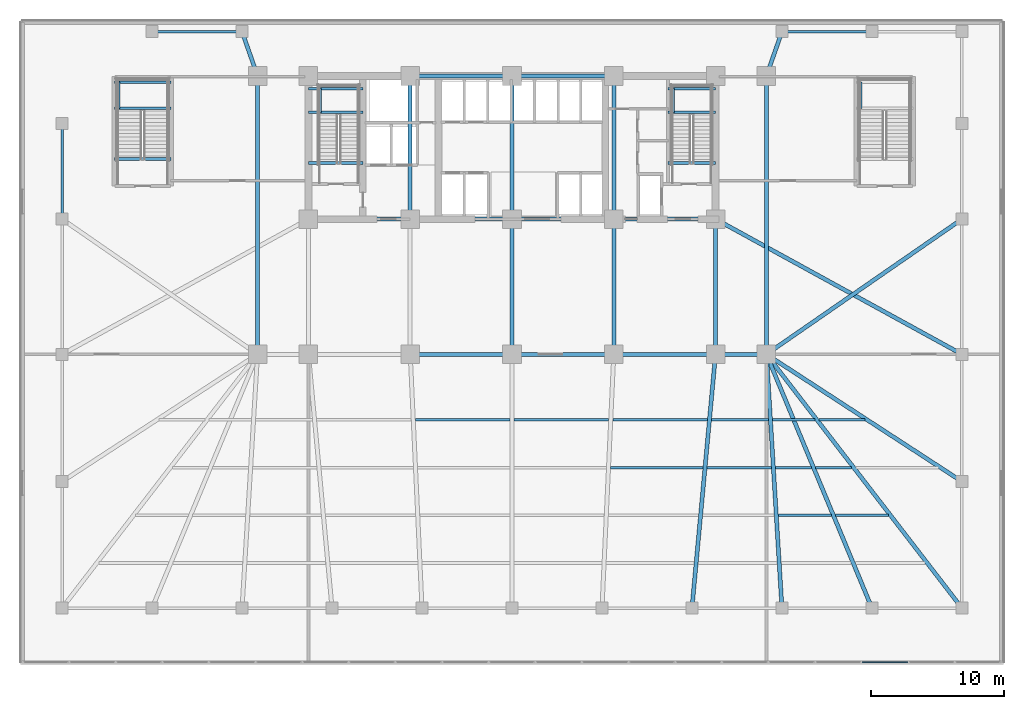
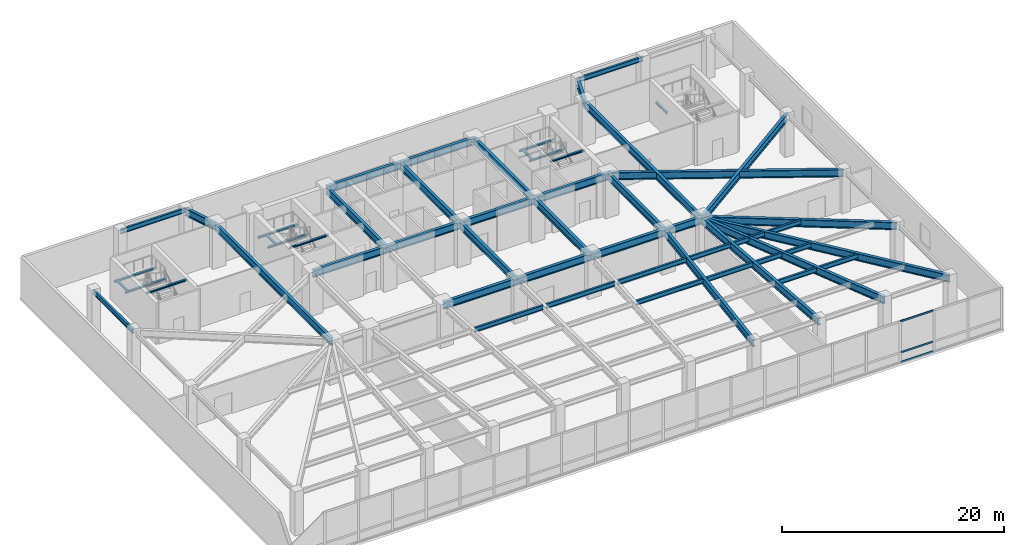
# One storey, part 9 of 19: 55 beams, 3 members, 1 element without a shape of its own.
"""IFC4 building model written with IfcOpenShell, lengths in metres."""

import ifcopenshell
import ifcopenshell.guid

model = None  # the IFC model being written
_history = None  # IfcOwnerHistory: only IFC2X3 demands one
_inside = {}  # id of a spatial element -> (the spatial element, [elements in it])
_under = {}  # id of a project, library or spatial element -> (it, [spatial elements below it])
_declared = {}  # id of a project -> (the project, [libraries it declares])
_typed = {}  # id of a type object -> (the type object, [elements of that type])
_made_of = {}  # id of a material, layer set ... -> (it, [elements and type objects made of it])


def new_model(schema):
    """Start an empty IFC model of exactly this schema.

    Asked for "IFC4X3", IfcOpenShell would pick the latest addendum, in which some entities
    have other attributes; the version numbers below select the first issue.
    IFC2X3 requires an IfcOwnerHistory on every rooted entity: one is made here for all.
    """
    global model, _history
    if schema == "IFC4X3":
        model = ifcopenshell.file(schema_version=(4, 3, 0, 0))
    else:
        model = ifcopenshell.file(schema=schema)
    _inside.clear()
    _under.clear()
    _declared.clear()
    _typed.clear()
    _made_of.clear()
    _history = None
    if model.schema == "IFC2X3":
        org = make("IfcOrganization", Name="unknown")
        user = make(
            "IfcPersonAndOrganization",
            ThePerson=make("IfcPerson", FamilyName="unknown"),
            TheOrganization=org,
        )
        app = make(
            "IfcApplication",
            ApplicationDeveloper=org,
            Version="unknown",
            ApplicationFullName="unknown",
            ApplicationIdentifier="unknown",
        )
        _history = make(
            "IfcOwnerHistory",
            OwningUser=user,
            OwningApplication=app,
            ChangeAction="ADDED",
            CreationDate=0,
        )
    return model


def make(cls, **values):
    """One entity of the class cls with the attributes given. An attribute that is None is left unset."""
    return model.create_entity(
        cls, **{name: value for name, value in values.items() if value is not None}
    )


def rooted(cls, **values):
    """An entity with a GlobalId (a new one), such as an element, a storey or a relation."""
    return make(cls, GlobalId=ifcopenshell.guid.new(), OwnerHistory=_history, **values)


def si_unit(unit_type, name, prefix=None):
    """IfcSIUnit, for example si_unit("LENGTHUNIT", "METRE", prefix="MILLI")."""
    return make("IfcSIUnit", UnitType=unit_type, Prefix=prefix, Name=name)


def assignment(units):
    """IfcUnitAssignment: the units of a project."""
    return None if units is None else make("IfcUnitAssignment", Units=units)


def point(xyz):
    """IfcCartesianPoint."""
    return None if xyz is None else make("IfcCartesianPoint", Coordinates=xyz)


def direction(xyz):
    """IfcDirection."""
    return None if xyz is None else make("IfcDirection", DirectionRatios=xyz)


def frame(location, z_axis=None, x_axis=None):
    """IfcAxis2Placement3D, a coordinate frame: its origin and axes. An axis left out is left unset."""
    return make(
        "IfcAxis2Placement3D",
        Location=point(location),
        Axis=direction(z_axis),
        RefDirection=direction(x_axis),
    )


def frame_2d(location, x_axis=None):
    """IfcAxis2Placement2D, a coordinate frame in the plane: its origin and x axis."""
    return make(
        "IfcAxis2Placement2D", Location=point(location), RefDirection=direction(x_axis)
    )


def origin():
    """The frame at (0, 0, 0) with its axes left unset."""
    return frame((0.0, 0.0, 0.0))


def origin_2d():
    """The frame at (0, 0) in the plane with its x axis left unset."""
    return frame_2d((0.0, 0.0))


def place(relative_to, where):
    """IfcLocalPlacement: puts the frame where relative to a parent placement (None: the world)."""
    return make(
        "IfcLocalPlacement", PlacementRelTo=relative_to, RelativePlacement=where
    )


def context(
    kind, dimensions, precision=None, world=None, true_north=None, identifier=None
):
    """IfcGeometricRepresentationContext, for example the 3D "Model" context."""
    return make(
        "IfcGeometricRepresentationContext",
        ContextIdentifier=identifier,
        ContextType=kind,
        CoordinateSpaceDimension=dimensions,
        Precision=precision,
        WorldCoordinateSystem=world,
        TrueNorth=true_north,
    )


def subcontext(parent, identifier, kind, view, scale=None):
    """IfcGeometricRepresentationSubContext, for example "Body" below "Model"."""
    return make(
        "IfcGeometricRepresentationSubContext",
        ContextIdentifier=identifier,
        ContextType=kind,
        ParentContext=parent,
        TargetScale=scale,
        TargetView=view,
    )


def project(units=None, contexts=None):
    """IfcProject with its units and contexts."""
    return rooted(
        "IfcProject",
        Name="project",
        RepresentationContexts=contexts,
        UnitsInContext=assignment(units),
    )


def spatial(cls, under=None, at=None, **own):
    """A site, building, storey or space (cls), placed at a placement, below another one or the project."""
    s = rooted(cls, ObjectPlacement=at, **own)
    if under is not None:
        _under.setdefault(under.id(), (under, []))[1].append(s)
    return s


def profile(cls, at=None, kind="AREA", **sizes):
    """A parametric profile (cls). Its sizes go by their IFC names, for example OverallWidth=200.0."""
    return make(cls, ProfileType=kind, Position=at, **sizes)


def hollow_rectangle(**sizes):
    """IfcRectangleHollowProfileDef."""
    return profile("IfcRectangleHollowProfileDef", **sizes)


def i_section(**sizes):
    """IfcIShapeProfileDef."""
    return profile("IfcIShapeProfileDef", **sizes)


def extrude(swept, where, along, depth):
    """IfcExtrudedAreaSolid: the profile swept, set in the frame where, extruded along a direction by depth."""
    return make(
        "IfcExtrudedAreaSolid",
        SweptArea=swept,
        Position=where,
        ExtrudedDirection=direction(along),
        Depth=depth,
    )


def shape(context_of_items, identifier, shape_type, items):
    """IfcShapeRepresentation: the items that make up one representation, for example the "Body"."""
    return make(
        "IfcShapeRepresentation",
        ContextOfItems=context_of_items,
        RepresentationIdentifier=identifier,
        RepresentationType=shape_type,
        Items=items,
    )


def material(Name=None, Category=None):
    """IfcMaterial."""
    return make("IfcMaterial", Name=Name, Category=Category)


def material_profile(
    of_material, cross_section, Name=None, Category=None, Priority=None
):
    """IfcMaterialProfile: a cross section and its material."""
    return make(
        "IfcMaterialProfile",
        Name=Name,
        Material=of_material,
        Profile=cross_section,
        Priority=Priority,
        Category=Category,
    )


def profile_set(profiles, Name=None, composite=None):
    """IfcMaterialProfileSet."""
    return make(
        "IfcMaterialProfileSet",
        Name=Name,
        MaterialProfiles=profiles,
        CompositeProfile=composite,
    )


def made_of(thing, what):
    """Note that an element or type object is made of a material, layer set ...; save() writes the relation."""
    if what is not None:
        _made_of.setdefault(what.id(), (what, []))[1].append(thing)
    return thing


def type_object(cls, material=None, **own):
    """A type object (cls), such as IfcWallType, which elements share."""
    return made_of(rooted(cls, **own), material)


def element(
    cls,
    number,
    at=None,
    inside=None,
    cuts=None,
    type_object=None,
    material=None,
    context=None,
    identifier="Body",
    shape_type=None,
    held_by="IfcProductDefinitionShape",
    body=None,
    shapes=None,
    **own,
):
    """One element of the class cls, such as IfcWall. Its Tag is "e" and its number.

    at: its placement. inside: the storey or other place that contains it. cuts: it is an
    opening in that element (IfcRelVoidsElement). A single representation is given by context,
    identifier, shape_type and body (its items); several are given by shapes. held_by: the class
    of the entity that holds the representations. save() writes the other relations.
    """
    e = rooted(cls, Tag="e%d" % number, ObjectPlacement=at, **own)
    if body is not None:
        shapes = [shape(context, identifier, shape_type, body)]
    if shapes is not None:
        e.Representation = make(held_by, Representations=shapes)
    if inside is not None:
        _inside.setdefault(inside.id(), (inside, []))[1].append(e)
    if cuts is not None:
        rooted(
            "IfcRelVoidsElement", RelatingBuildingElement=cuts, RelatedOpeningElement=e
        )
    if type_object is not None:
        _typed.setdefault(type_object.id(), (type_object, []))[1].append(e)
    return made_of(e, material)


def aggregate(whole, parts):
    """IfcRelAggregates: a whole, such as a stair, and the parts it consists of."""
    return rooted("IfcRelAggregates", RelatingObject=whole, RelatedObjects=parts)


def save(model, path):
    """Write the relations noted so far, then the file.

    IfcRelAggregates (storeys below a building ...), IfcRelContainedInSpatialStructure (elements
    in a storey), IfcRelDefinesByType, IfcRelAssociatesMaterial and IfcRelDeclares: one each for
    every whole, place, type object, material and project.
    """
    for whole, parts in _under.values():
        aggregate(whole, parts)
    for where, things in _inside.values():
        rooted(
            "IfcRelContainedInSpatialStructure",
            RelatedElements=things,
            RelatingStructure=where,
        )
    for kind, things in _typed.values():
        rooted("IfcRelDefinesByType", RelatedObjects=things, RelatingType=kind)
    for what, things in _made_of.values():
        rooted("IfcRelAssociatesMaterial", RelatedObjects=things, RelatingMaterial=what)
    for by, libraries in _declared.values():
        rooted("IfcRelDeclares", RelatingContext=by, RelatedDefinitions=libraries)
    model.write(path)


model = new_model("IFC4")

# Units and contexts
model_context = context("Model", 3, precision=1e-05, world=origin(), true_north=direction((0.0, 1.0)))
body_context = subcontext(model_context, "Body", "Model", "MODEL_VIEW")
ifc_project = project(units=[si_unit("LENGTHUNIT", "METRE"), si_unit("AREAUNIT", "SQUARE_METRE"), si_unit("VOLUMEUNIT", "CUBIC_METRE"), si_unit("PLANEANGLEUNIT", "RADIAN"), si_unit("MASSUNIT", "GRAM", prefix="KILO")], contexts=[model_context])

# Site, building, storey
site_placement = place(None, origin())
site = spatial("IfcSite", under=ifc_project, at=site_placement, CompositionType="ELEMENT")
building_placement = place(site_placement, origin())
building = spatial("IfcBuilding", under=site, at=building_placement, Name="Yelkora Congress Tower", CompositionType="ELEMENT")
storey_placement = place(building_placement, frame((0.0, 0.0, 15.60009765625)))
storey = spatial("IfcBuildingStorey", under=building, at=storey_placement, Name="L03", CompositionType="ELEMENT", Elevation=15.60009765625)

# Beams
ifc_material_1 = material(Name="Steel S460M", Category="steel")
ifc_material_profile_1 = material_profile(ifc_material_1, i_section(OverallWidth=0.302978515625, OverallDepth=0.81396484375, WebThickness=0.02099609375, FlangeThickness=0.0400390625, FilletRadius=0.030029296875, at=origin_2d()), Name="HEM 800")
ifc_profile_set_1 = profile_set([ifc_material_profile_1], Name="Steel S460M")
beam_type_1 = type_object("IfcBeamType", Name="BM-HALL-HEM800", PredefinedType="BEAM", material=ifc_profile_set_1)
beam_1_placement = place(storey_placement, frame((30.719970703125, 25.199951171875, 4.1328125), z_axis=(1.0, 0.0, 0.0), x_axis=(0.0, 1.0, 0.0)))
element("IfcBeam", 1, at=beam_1_placement, inside=storey, type_object=beam_type_1, Name="L03 Spine Grid D Girder 3", PredefinedType="BEAM", context=body_context, shape_type="SweptSolid", body=[
    extrude(i_section(OverallWidth=0.302978515625, OverallDepth=0.81396484375, WebThickness=0.02099609375, FlangeThickness=0.0400390625, FilletRadius=0.030029296875, at=origin_2d()), origin(), (0.0, 0.0, 1.0), 7.679931640625),
])
beam_2_placement = place(storey_placement, frame((38.39990234375, 25.199951171875, 4.1328125), z_axis=(1.0, 0.0, 0.0), x_axis=(0.0, 1.0, 0.0)))
element("IfcBeam", 2, at=beam_2_placement, inside=storey, type_object=beam_type_1, Name="L03 Spine Grid D Girder 4", PredefinedType="BEAM", context=body_context, shape_type="SweptSolid", body=[
    extrude(i_section(OverallWidth=0.302978515625, OverallDepth=0.81396484375, WebThickness=0.02099609375, FlangeThickness=0.0400390625, FilletRadius=0.030029296875, at=origin_2d()), origin(), (0.0, 0.0, 1.0), 7.68017578125),
])
beam_3_placement = place(storey_placement, frame((46.080078125, 25.199951171875, 4.1328125), z_axis=(1.0, 0.0, 0.0), x_axis=(0.0, 1.0, 0.0)))
element("IfcBeam", 3, at=beam_3_placement, inside=storey, type_object=beam_type_1, Name="L03 Spine Grid D Girder 5", PredefinedType="BEAM", context=body_context, shape_type="SweptSolid", body=[
    extrude(i_section(OverallWidth=0.302978515625, OverallDepth=0.81396484375, WebThickness=0.02099609375, FlangeThickness=0.0400390625, FilletRadius=0.030029296875, at=origin_2d()), origin(), (0.0, 0.0, 1.0), 7.679931640625),
])
beam_4_placement = place(storey_placement, frame((53.760009765625, 25.199951171875, 4.1328125), z_axis=(1.0, 0.0, 0.0), x_axis=(0.0, 1.0, 0.0)))
element("IfcBeam", 4, at=beam_4_placement, inside=storey, type_object=beam_type_1, Name="L03 Spine Grid D Girder 6", PredefinedType="BEAM", context=body_context, shape_type="SweptSolid", body=[
    extrude(i_section(OverallWidth=0.302978515625, OverallDepth=0.81396484375, WebThickness=0.02099609375, FlangeThickness=0.0400390625, FilletRadius=0.030029296875, at=origin_2d()), origin(), (0.0, 0.0, 1.0), 3.840087890625),
])
beam_5_placement = place(storey_placement, frame((30.719970703125, 46.199951171875, 4.1328125), z_axis=(1.0, 0.0, 0.0), x_axis=(0.0, 1.0, 0.0)))
element("IfcBeam", 5, at=beam_5_placement, inside=storey, type_object=beam_type_1, Name="L03 Core North Girder 3", PredefinedType="BEAM", context=body_context, shape_type="SweptSolid", body=[
    extrude(i_section(OverallWidth=0.302978515625, OverallDepth=0.81396484375, WebThickness=0.02099609375, FlangeThickness=0.0400390625, FilletRadius=0.030029296875, at=origin_2d()), origin(), (0.0, 0.0, 1.0), 7.679931640625),
])
beam_6_placement = place(storey_placement, frame((38.39990234375, 46.199951171875, 4.1328125), z_axis=(1.0, 0.0, 0.0), x_axis=(0.0, 1.0, 0.0)))
element("IfcBeam", 6, at=beam_6_placement, inside=storey, type_object=beam_type_1, Name="L03 Core North Girder 4", PredefinedType="BEAM", context=body_context, shape_type="SweptSolid", body=[
    extrude(i_section(OverallWidth=0.302978515625, OverallDepth=0.81396484375, WebThickness=0.02099609375, FlangeThickness=0.0400390625, FilletRadius=0.030029296875, at=origin_2d()), origin(), (0.0, 0.0, 1.0), 7.68017578125),
])
for number, where, z_axis, x_axis, name in (
    (7, (23.0400390625, 35.39990234375, 4.1328125), (1.0, 0.0, 0.0), (0.0, 1.0, 0.0), "L03 Core South Girder 1"),
    (8, (30.719970703125, 35.39990234375, 4.1328125), (1.0, 0.0, 0.0), (0.0, 1.0, 0.0), "L03 Core South Girder 2"),
):
    element("IfcBeam", number, at=place(storey_placement, frame(where, z_axis=z_axis, x_axis=x_axis)), inside=storey, type_object=beam_type_1, Name=name, PredefinedType="BEAM", context=body_context, shape_type="SweptSolid", body=[
        extrude(i_section(OverallWidth=0.302978515625, OverallDepth=0.81396484375, WebThickness=0.02099609375, FlangeThickness=0.0400390625, FilletRadius=0.030029296875, at=origin_2d()), origin(), (0.0, 0.0, 1.0), 7.679931640625),
    ])
beam_7_placement = place(storey_placement, frame((38.39990234375, 35.39990234375, 4.1328125), z_axis=(1.0, 0.0, 0.0), x_axis=(0.0, 1.0, 0.0)))
element("IfcBeam", 9, at=beam_7_placement, inside=storey, type_object=beam_type_1, Name="L03 Core South Girder 3", PredefinedType="BEAM", context=body_context, shape_type="SweptSolid", body=[
    extrude(i_section(OverallWidth=0.302978515625, OverallDepth=0.81396484375, WebThickness=0.02099609375, FlangeThickness=0.0400390625, FilletRadius=0.030029296875, at=origin_2d()), origin(), (0.0, 0.0, 1.0), 7.68017578125),
])
beam_8_placement = place(storey_placement, frame((46.080078125, 35.39990234375, 4.1328125), z_axis=(1.0, 0.0, 0.0), x_axis=(0.0, 1.0, 0.0)))
element("IfcBeam", 10, at=beam_8_placement, inside=storey, type_object=beam_type_1, Name="L03 Core South Girder 4", PredefinedType="BEAM", context=body_context, shape_type="SweptSolid", body=[
    extrude(i_section(OverallWidth=0.302978515625, OverallDepth=0.81396484375, WebThickness=0.02099609375, FlangeThickness=0.0400390625, FilletRadius=0.030029296875, at=origin_2d()), origin(), (0.0, 0.0, 1.0), 7.679931640625),
])
beam_9_placement = place(storey_placement, frame((30.719970703125, 35.39990234375, 4.1328125), z_axis=(0.0, 1.0, 0.0), x_axis=(-1.0, 0.0, 0.0)))
element("IfcBeam", 11, at=beam_9_placement, inside=storey, type_object=beam_type_1, Name="L03 Core Tie Girder MC-S2", PredefinedType="BEAM", context=body_context, shape_type="SweptSolid", body=[
    extrude(i_section(OverallWidth=0.302978515625, OverallDepth=0.81396484375, WebThickness=0.02099609375, FlangeThickness=0.0400390625, FilletRadius=0.030029296875, at=origin_2d()), origin(), (0.0, 0.0, 1.0), 10.800048828125),
])
beam_10_placement = place(storey_placement, frame((38.39990234375, 25.199951171875, 4.1328125), z_axis=(0.0, 1.0, 0.0), x_axis=(-1.0, 0.0, 0.0)))
element("IfcBeam", 12, at=beam_10_placement, inside=storey, type_object=beam_type_1, Name="L03 Core Tie Girder MC-D3", PredefinedType="BEAM", context=body_context, shape_type="SweptSolid", body=[
    extrude(i_section(OverallWidth=0.302978515625, OverallDepth=0.81396484375, WebThickness=0.02099609375, FlangeThickness=0.0400390625, FilletRadius=0.030029296875, at=origin_2d()), origin(), (0.0, 0.0, 1.0), 10.199951171875),
])
beam_11_placement = place(storey_placement, frame((38.39990234375, 35.39990234375, 4.1328125), z_axis=(0.0, 1.0, 0.0), x_axis=(-1.0, 0.0, 0.0)))
element("IfcBeam", 13, at=beam_11_placement, inside=storey, type_object=beam_type_1, Name="L03 Core Tie Girder MC-S3", PredefinedType="BEAM", context=body_context, shape_type="SweptSolid", body=[
    extrude(i_section(OverallWidth=0.302978515625, OverallDepth=0.81396484375, WebThickness=0.02099609375, FlangeThickness=0.0400390625, FilletRadius=0.030029296875, at=origin_2d()), origin(), (0.0, 0.0, 1.0), 10.800048828125),
])
beam_12_placement = place(storey_placement, frame((46.080078125, 25.199951171875, 4.1328125), z_axis=(0.0, 1.0, 0.0), x_axis=(-1.0, 0.0, 0.0)))
element("IfcBeam", 14, at=beam_12_placement, inside=storey, type_object=beam_type_1, Name="L03 Core Tie Girder MC-D4", PredefinedType="BEAM", context=body_context, shape_type="SweptSolid", body=[
    extrude(i_section(OverallWidth=0.302978515625, OverallDepth=0.81396484375, WebThickness=0.02099609375, FlangeThickness=0.0400390625, FilletRadius=0.030029296875, at=origin_2d()), origin(), (0.0, 0.0, 1.0), 10.199951171875),
])
beam_13_placement = place(storey_placement, frame((46.080078125, 35.39990234375, 4.1328125), z_axis=(0.0, 1.0, 0.0), x_axis=(-1.0, 0.0, 0.0)))
element("IfcBeam", 15, at=beam_13_placement, inside=storey, type_object=beam_type_1, Name="L03 Core Tie Girder MC-S4", PredefinedType="BEAM", context=body_context, shape_type="SweptSolid", body=[
    extrude(i_section(OverallWidth=0.302978515625, OverallDepth=0.81396484375, WebThickness=0.02099609375, FlangeThickness=0.0400390625, FilletRadius=0.030029296875, at=origin_2d()), origin(), (0.0, 0.0, 1.0), 10.800048828125),
])
beam_14_placement = place(storey_placement, frame((53.760009765625, 25.199951171875, 4.1328125), z_axis=(0.0, 1.0, 0.0), x_axis=(-1.0, 0.0, 0.0)))
element("IfcBeam", 16, at=beam_14_placement, inside=storey, type_object=beam_type_1, Name="L03 Core Tie Girder MC-D5", PredefinedType="BEAM", context=body_context, shape_type="SweptSolid", body=[
    extrude(i_section(OverallWidth=0.302978515625, OverallDepth=0.81396484375, WebThickness=0.02099609375, FlangeThickness=0.0400390625, FilletRadius=0.030029296875, at=origin_2d()), origin(), (0.0, 0.0, 1.0), 10.199951171875),
])
for number, where, z_axis, x_axis, name in (
    (17, (19.199951171875, 25.199951171875, 4.1328125), (0.0, 1.0, 0.0), (-1.0, 0.0, 0.0), "L03 Neck Flank Girder MC-F1"),
    (18, (57.60009765625, 25.199951171875, 4.1328125), (0.0, 1.0, 0.0), (-1.0, 0.0, 0.0), "L03 Neck Flank Girder MC-F2"),
):
    element("IfcBeam", number, at=place(storey_placement, frame(where, z_axis=z_axis, x_axis=x_axis)), inside=storey, type_object=beam_type_1, Name=name, PredefinedType="BEAM", context=body_context, shape_type="SweptSolid", body=[
        extrude(i_section(OverallWidth=0.302978515625, OverallDepth=0.81396484375, WebThickness=0.02099609375, FlangeThickness=0.0400390625, FilletRadius=0.030029296875, at=origin_2d()), origin(), (0.0, 0.0, 1.0), 21.0),
    ])
beam_15_placement = place(storey_placement, frame((18.030029296875, 49.550048828125, 4.1328125), z_axis=(0.329694513381, -0.944087669577, 0.0), x_axis=(0.944087669577, 0.329694513381, 0.0)))
element("IfcBeam", 19, at=beam_15_placement, inside=storey, type_object=beam_type_1, Name="L03 Primary Frame Girder PN03", PredefinedType="BEAM", context=body_context, shape_type="SweptSolid", body=[
    extrude(i_section(OverallWidth=0.302978515625, OverallDepth=0.81396484375, WebThickness=0.02099609375, FlangeThickness=0.0400390625, FilletRadius=0.030029296875, at=origin_2d()), origin(), (0.0, 0.0, 1.0), 3.548583984375),
])
beam_16_placement = place(storey_placement, frame((51.97998046875, 6.050048828125, 4.1328125), z_axis=(0.092553417869, 0.995707720589, 0.0), x_axis=(-0.995707720589, 0.092553417869, 0.0)))
element("IfcBeam", 20, at=beam_16_placement, inside=storey, type_object=beam_type_1, Name="L03 Primary Frame Girder PS08", PredefinedType="BEAM", context=body_context, shape_type="SweptSolid", body=[
    extrude(i_section(OverallWidth=0.302978515625, OverallDepth=0.81396484375, WebThickness=0.02099609375, FlangeThickness=0.0400390625, FilletRadius=0.030029296875, at=origin_2d()), origin(), (0.0, 0.0, 1.0), 19.232421875),
])
beam_17_placement = place(storey_placement, frame((58.77001953125, 6.050048828125, 4.1328125), z_axis=(-0.060979146345, 0.99813904027, 0.0), x_axis=(-0.99813904027, -0.060979146345, 0.0)))
element("IfcBeam", 21, at=beam_17_placement, inside=storey, type_object=beam_type_1, Name="L03 Primary Frame Girder PS09", PredefinedType="BEAM", context=body_context, shape_type="SweptSolid", body=[
    extrude(i_section(OverallWidth=0.302978515625, OverallDepth=0.81396484375, WebThickness=0.02099609375, FlangeThickness=0.0400390625, FilletRadius=0.030029296875, at=origin_2d()), origin(), (0.0, 0.0, 1.0), 19.185546875),
])
beam_18_placement = place(storey_placement, frame((58.77001953125, 49.550048828125, 4.1328125), z_axis=(-0.329694513381, -0.944087669577, 0.0), x_axis=(0.944087669577, -0.329694513381, 0.0)))
element("IfcBeam", 22, at=beam_18_placement, inside=storey, type_object=beam_type_1, Name="L03 Primary Frame Girder PN09", PredefinedType="BEAM", context=body_context, shape_type="SweptSolid", body=[
    extrude(i_section(OverallWidth=0.302978515625, OverallDepth=0.81396484375, WebThickness=0.02099609375, FlangeThickness=0.0400390625, FilletRadius=0.030029296875, at=origin_2d()), origin(), (0.0, 0.0, 1.0), 3.548583984375),
])
beam_19_placement = place(storey_placement, frame((65.56005859375, 6.050048828125, 4.1328125), z_axis=(-0.383827816401, 0.923404682334, 0.0), x_axis=(-0.923404682334, -0.383827816401, 0.0)))
element("IfcBeam", 23, at=beam_19_placement, inside=storey, type_object=beam_type_1, Name="L03 Primary Frame Girder PS10", PredefinedType="BEAM", context=body_context, shape_type="SweptSolid", body=[
    extrude(i_section(OverallWidth=0.302978515625, OverallDepth=0.81396484375, WebThickness=0.02099609375, FlangeThickness=0.0400390625, FilletRadius=0.030029296875, at=origin_2d()), origin(), (0.0, 0.0, 1.0), 20.73828125),
])
beam_20_placement = place(storey_placement, frame((72.35009765625, 6.050048828125, 4.1328125), z_axis=(-0.610212418574, 0.792237845737, 0.0), x_axis=(-0.792237845737, -0.610212418574, 0.0)))
element("IfcBeam", 24, at=beam_20_placement, inside=storey, type_object=beam_type_1, Name="L03 Primary Frame Girder PS11", PredefinedType="BEAM", context=body_context, shape_type="SweptSolid", body=[
    extrude(i_section(OverallWidth=0.302978515625, OverallDepth=0.81396484375, WebThickness=0.02099609375, FlangeThickness=0.0400390625, FilletRadius=0.030029296875, at=origin_2d()), origin(), (0.0, 0.0, 1.0), 24.171875),
])
beam_21_placement = place(storey_placement, frame((72.35009765625, 15.60009765625, 4.1328125), z_axis=(-0.83812272066, 0.545481718404, 0.0), x_axis=(-0.545481718404, -0.83812272066, 0.0)))
element("IfcBeam", 25, at=beam_21_placement, inside=storey, type_object=beam_type_1, Name="L03 Primary Frame Girder PE1", PredefinedType="BEAM", context=body_context, shape_type="SweptSolid", body=[
    extrude(i_section(OverallWidth=0.302978515625, OverallDepth=0.81396484375, WebThickness=0.02099609375, FlangeThickness=0.0400390625, FilletRadius=0.030029296875, at=origin_2d()), origin(), (0.0, 0.0, 1.0), 17.598876953125),
])
beam_22_placement = place(storey_placement, frame((72.35009765625, 25.199951171875, 4.1328125), z_axis=(-0.876705282536, 0.48102790727, 0.0), x_axis=(-0.48102790727, -0.876705282536, 0.0)))
element("IfcBeam", 26, at=beam_22_placement, inside=storey, type_object=beam_type_1, Name="L03 Primary Frame Girder PE2", PredefinedType="BEAM", context=body_context, shape_type="SweptSolid", body=[
    extrude(i_section(OverallWidth=0.302978515625, OverallDepth=0.81396484375, WebThickness=0.02099609375, FlangeThickness=0.0400390625, FilletRadius=0.030029296875, at=origin_2d()), origin(), (0.0, 0.0, 1.0), 21.20458984375),
])
beam_23_placement = place(storey_placement, frame((72.35009765625, 35.39990234375, 4.1328125), z_axis=(-0.822494466498, -0.568773111689, 0.0), x_axis=(0.568773111689, -0.822494466498, 0.0)))
element("IfcBeam", 27, at=beam_23_placement, inside=storey, type_object=beam_type_1, Name="L03 Primary Frame Girder PE3", PredefinedType="BEAM", context=body_context, shape_type="SweptSolid", body=[
    extrude(i_section(OverallWidth=0.302978515625, OverallDepth=0.81396484375, WebThickness=0.02099609375, FlangeThickness=0.0400390625, FilletRadius=0.030029296875, at=origin_2d()), origin(), (0.0, 0.0, 1.0), 17.933349609375),
])
ifc_material_2 = material(Name="Steel S355J2", Category="steel")
ifc_material_profile_2 = material_profile(ifc_material_2, i_section(OverallWidth=0.199951171875, OverallDepth=0.5, WebThickness=0.01025390625, FlangeThickness=0.01611328125, FilletRadius=0.02099609375, at=origin_2d()), Name="IPE 500")
ifc_profile_set_2 = profile_set([ifc_material_profile_2], Name="Steel S355J2")
beam_type_2 = type_object("IfcBeamType", Name="BM-JOIST-IPE500", PredefinedType="JOIST", material=ifc_profile_set_2)
for number, where, z_axis, x_axis, name in (
    (28, (58.502197265625, 13.050048828125, 4.289794921875), (1.0, 0.0, 0.0), (0.0, 1.0, 0.0), "L03 Composite Floor Joist 19"),
    (29, (62.810302734375, 13.050048828125, 4.289794921875), (1.0, 0.0, 0.0), (0.0, 1.0, 0.0), "L03 Composite Floor Joist 20"),
):
    element("IfcBeam", number, at=place(storey_placement, frame(where, z_axis=z_axis, x_axis=x_axis)), inside=storey, type_object=beam_type_2, Name=name, PredefinedType="JOIST", context=body_context, shape_type="SweptSolid", body=[
        extrude(i_section(OverallWidth=0.199951171875, OverallDepth=0.5, WebThickness=0.01025390625, FlangeThickness=0.01611328125, FilletRadius=0.02099609375, at=origin_2d()), origin(), (0.0, 0.0, 1.0), 3.988037109375),
    ])
beam_24_placement = place(storey_placement, frame((45.842529296875, 16.64990234375, 4.289794921875), z_axis=(1.0, 0.0, 0.0), x_axis=(0.0, 1.0, 0.0)))
element("IfcBeam", 30, at=beam_24_placement, inside=storey, type_object=beam_type_2, Name="L03 Composite Floor Joist 27", PredefinedType="JOIST", context=body_context, shape_type="SweptSolid", body=[
    extrude(i_section(OverallWidth=0.199951171875, OverallDepth=0.5, WebThickness=0.01025390625, FlangeThickness=0.01611328125, FilletRadius=0.02099609375, at=origin_2d()), origin(), (0.0, 0.0, 1.0), 6.962890625),
])
beam_25_placement = place(storey_placement, frame((53.125244140625, 16.64990234375, 4.289794921875), z_axis=(1.0, 0.0, 0.0), x_axis=(0.0, 1.0, 0.0)))
element("IfcBeam", 31, at=beam_25_placement, inside=storey, type_object=beam_type_2, Name="L03 Composite Floor Joist 28", PredefinedType="JOIST", context=body_context, shape_type="SweptSolid", body=[
    extrude(i_section(OverallWidth=0.199951171875, OverallDepth=0.5, WebThickness=0.01025390625, FlangeThickness=0.01611328125, FilletRadius=0.02099609375, at=origin_2d()), origin(), (0.0, 0.0, 1.0), 4.837158203125),
])
for number, where, z_axis, x_axis, name in (
    (32, (58.282470703125, 16.64990234375, 4.289794921875), (1.0, 0.0, 0.0), (0.0, 1.0, 0.0), "L03 Composite Floor Joist 29"),
    (33, (61.31396484375, 16.64990234375, 4.289794921875), (1.0, 0.0, 0.0), (0.0, 1.0, 0.0), "L03 Composite Floor Joist 30"),
):
    element("IfcBeam", number, at=place(storey_placement, frame(where, z_axis=z_axis, x_axis=x_axis)), inside=storey, type_object=beam_type_2, Name=name, PredefinedType="JOIST", context=body_context, shape_type="SweptSolid", body=[
        extrude(i_section(OverallWidth=0.199951171875, OverallDepth=0.5, WebThickness=0.01025390625, FlangeThickness=0.01611328125, FilletRadius=0.02099609375, at=origin_2d()), origin(), (0.0, 0.0, 1.0), 2.71142578125),
    ])
for number, where, z_axis, x_axis, name in (
    (34, (31.110107421875, 20.25, 4.289794921875), (1.0, 0.0, 0.0), (0.0, 1.0, 0.0), "L03 Composite Floor Joist 36"),
    (35, (38.56005859375, 20.25, 4.289794921875), (1.0, 0.0, 0.0), (0.0, 1.0, 0.0), "L03 Composite Floor Joist 37"),
    (36, (46.010009765625, 20.25, 4.289794921875), (1.0, 0.0, 0.0), (0.0, 1.0, 0.0), "L03 Composite Floor Joist 38"),
):
    element("IfcBeam", number, at=place(storey_placement, frame(where, z_axis=z_axis, x_axis=x_axis)), inside=storey, type_object=beam_type_2, Name=name, PredefinedType="JOIST", context=body_context, shape_type="SweptSolid", body=[
        extrude(i_section(OverallWidth=0.199951171875, OverallDepth=0.5, WebThickness=0.01025390625, FlangeThickness=0.01611328125, FilletRadius=0.02099609375, at=origin_2d()), origin(), (0.0, 0.0, 1.0), 7.1298828125),
    ])
beam_26_placement = place(storey_placement, frame((53.4599609375, 20.25, 4.289794921875), z_axis=(1.0, 0.0, 0.0), x_axis=(0.0, 1.0, 0.0)))
element("IfcBeam", 37, at=beam_26_placement, inside=storey, type_object=beam_type_2, Name="L03 Composite Floor Joist 39", PredefinedType="JOIST", context=body_context, shape_type="SweptSolid", body=[
    extrude(i_section(OverallWidth=0.199951171875, OverallDepth=0.5, WebThickness=0.01025390625, FlangeThickness=0.01611328125, FilletRadius=0.02099609375, at=origin_2d()), origin(), (0.0, 0.0, 1.0), 4.282470703125),
])
beam_27_placement = place(storey_placement, frame((58.0625, 20.25, 4.289794921875), z_axis=(1.0, 0.0, 0.0), x_axis=(0.0, 1.0, 0.0)))
element("IfcBeam", 38, at=beam_27_placement, inside=storey, type_object=beam_type_2, Name="L03 Composite Floor Joist 40", PredefinedType="JOIST", context=body_context, shape_type="SweptSolid", body=[
    extrude(i_section(OverallWidth=0.199951171875, OverallDepth=0.5, WebThickness=0.01025390625, FlangeThickness=0.01611328125, FilletRadius=0.02099609375, at=origin_2d()), origin(), (0.0, 0.0, 1.0), 3.190185546875),
])
beam_28_placement = place(storey_placement, frame((61.57275390625, 20.25, 4.289794921875), z_axis=(1.0, 0.0, 0.0), x_axis=(0.0, 1.0, 0.0)))
element("IfcBeam", 39, at=beam_28_placement, inside=storey, type_object=beam_type_2, Name="L03 Composite Floor Joist 41", PredefinedType="JOIST", context=body_context, shape_type="SweptSolid", body=[
    extrude(i_section(OverallWidth=0.199951171875, OverallDepth=0.5, WebThickness=0.01025390625, FlangeThickness=0.01611328125, FilletRadius=0.02099609375, at=origin_2d()), origin(), (0.0, 0.0, 1.0), 3.47265625),
])
ifc_material_profile_3 = material_profile(ifc_material_2, i_section(OverallWidth=0.199951171875, OverallDepth=0.18994140625, WebThickness=0.006591796875, FlangeThickness=0.010009765625, FilletRadius=0.01806640625, at=origin_2d()), Name="HEA 200")
ifc_profile_set_3 = profile_set([ifc_material_profile_3], Name="Steel S355J2")
beam_type_3 = type_object("IfcBeamType", Name="BM-LAND-HEA200", PredefinedType="BEAM", material=ifc_profile_set_3)
for number, where, z_axis, x_axis, name in (
    (40, (23.0400390625, 43.4599609375, 2.08447265625), (1.0, 0.0, 0.0), (0.0, 1.0, 0.0), "ST-01 L03 Landing Header Beam 1S"),
    (41, (23.0400390625, 45.25, 2.08447265625), (1.0, 0.0, 0.0), (0.0, 1.0, 0.0), "ST-01 L03 Landing Header Beam 1N"),
):
    element("IfcBeam", number, at=place(storey_placement, frame(where, z_axis=z_axis, x_axis=x_axis)), inside=storey, type_object=beam_type_3, Name=name, PredefinedType="BEAM", context=body_context, shape_type="SweptSolid", body=[
        extrude(i_section(OverallWidth=0.199951171875, OverallDepth=0.18994140625, WebThickness=0.006591796875, FlangeThickness=0.010009765625, FilletRadius=0.01806640625, at=origin_2d()), origin(), (0.0, 0.0, 1.0), 4.10986328125),
    ])
beam_29_placement = place(storey_placement, frame((23.93994140625, 43.4599609375, 2.08447265625), z_axis=(0.0, 1.0, 0.0), x_axis=(-1.0, 0.0, 0.0)))
element("IfcBeam", 42, at=beam_29_placement, inside=storey, type_object=beam_type_3, Name="ST-01 L03 Landing Trimmer Beam 1M", PredefinedType="BEAM", context=body_context, shape_type="SweptSolid", body=[
    extrude(i_section(OverallWidth=0.199951171875, OverallDepth=0.18994140625, WebThickness=0.006591796875, FlangeThickness=0.010009765625, FilletRadius=0.01806640625, at=origin_2d()), origin(), (0.0, 0.0, 1.0), 1.7900390625),
])
beam_30_placement = place(storey_placement, frame((23.0400390625, 39.639892578125, 4.345458984375), z_axis=(1.0, 0.0, 0.0), x_axis=(0.0, 1.0, 0.0)))
element("IfcBeam", 43, at=beam_30_placement, inside=storey, type_object=beam_type_3, Name="ST-01 L03 Floor Arrival Stringer Header Beam", PredefinedType="BEAM", context=body_context, shape_type="SweptSolid", body=[
    extrude(i_section(OverallWidth=0.199951171875, OverallDepth=0.18994140625, WebThickness=0.006591796875, FlangeThickness=0.010009765625, FilletRadius=0.01806640625, at=origin_2d()), origin(), (0.0, 0.0, 1.0), 4.10986328125),
])
for number, where, z_axis, x_axis, name in (
    (44, (50.179931640625, 43.4599609375, 2.08447265625), (1.0, 0.0, 0.0), (0.0, 1.0, 0.0), "ST-02 L03 Landing Header Beam 1S"),
    (45, (50.179931640625, 45.25, 2.08447265625), (1.0, 0.0, 0.0), (0.0, 1.0, 0.0), "ST-02 L03 Landing Header Beam 1N"),
):
    element("IfcBeam", number, at=place(storey_placement, frame(where, z_axis=z_axis, x_axis=x_axis)), inside=storey, type_object=beam_type_3, Name=name, PredefinedType="BEAM", context=body_context, shape_type="SweptSolid", body=[
        extrude(i_section(OverallWidth=0.199951171875, OverallDepth=0.18994140625, WebThickness=0.006591796875, FlangeThickness=0.010009765625, FilletRadius=0.01806640625, at=origin_2d()), origin(), (0.0, 0.0, 1.0), 3.580078125),
    ])
beam_31_placement = place(storey_placement, frame((50.580078125, 43.4599609375, 2.08447265625), z_axis=(0.0, 1.0, 0.0), x_axis=(-1.0, 0.0, 0.0)))
element("IfcBeam", 46, at=beam_31_placement, inside=storey, type_object=beam_type_3, Name="ST-02 L03 Landing Trimmer Beam 1M", PredefinedType="BEAM", context=body_context, shape_type="SweptSolid", body=[
    extrude(i_section(OverallWidth=0.199951171875, OverallDepth=0.18994140625, WebThickness=0.006591796875, FlangeThickness=0.010009765625, FilletRadius=0.01806640625, at=origin_2d()), origin(), (0.0, 0.0, 1.0), 1.7900390625),
])
beam_32_placement = place(storey_placement, frame((50.179931640625, 39.639892578125, 4.345458984375), z_axis=(1.0, 0.0, 0.0), x_axis=(0.0, 1.0, 0.0)))
element("IfcBeam", 47, at=beam_32_placement, inside=storey, type_object=beam_type_3, Name="ST-02 L03 Floor Arrival Stringer Header Beam", PredefinedType="BEAM", context=body_context, shape_type="SweptSolid", body=[
    extrude(i_section(OverallWidth=0.199951171875, OverallDepth=0.18994140625, WebThickness=0.006591796875, FlangeThickness=0.010009765625, FilletRadius=0.01806640625, at=origin_2d()), origin(), (0.0, 0.0, 1.0), 3.580078125),
])
for number, where, z_axis, x_axis, name in (
    (48, (8.39990234375, 43.760009765625, 2.08447265625), (1.0, 0.0, 0.0), (0.0, 1.0, 0.0), "ST-P1 L03 Landing Header Beam 1S"),
    (49, (8.39990234375, 45.72998046875, 2.08447265625), (1.0, 0.0, 0.0), (0.0, 1.0, 0.0), "ST-P1 L03 Landing Header Beam 1N"),
):
    element("IfcBeam", number, at=place(storey_placement, frame(where, z_axis=z_axis, x_axis=x_axis)), inside=storey, type_object=beam_type_3, Name=name, PredefinedType="BEAM", context=body_context, shape_type="SweptSolid", body=[
        extrude(i_section(OverallWidth=0.199951171875, OverallDepth=0.18994140625, WebThickness=0.006591796875, FlangeThickness=0.010009765625, FilletRadius=0.01806640625, at=origin_2d()), origin(), (0.0, 0.0, 1.0), 4.260009765625),
    ])
beam_33_placement = place(storey_placement, frame((8.719970703125, 43.760009765625, 2.08447265625), z_axis=(0.0, 1.0, 0.0), x_axis=(-1.0, 0.0, 0.0)))
element("IfcBeam", 50, at=beam_33_placement, inside=storey, type_object=beam_type_3, Name="ST-P1 L03 Landing Trimmer Beam 1M", PredefinedType="BEAM", context=body_context, shape_type="SweptSolid", body=[
    extrude(i_section(OverallWidth=0.199951171875, OverallDepth=0.18994140625, WebThickness=0.006591796875, FlangeThickness=0.010009765625, FilletRadius=0.01806640625, at=origin_2d()), origin(), (0.0, 0.0, 1.0), 1.969970703125),
])
beam_34_placement = place(storey_placement, frame((8.39990234375, 39.93994140625, 4.345458984375), z_axis=(1.0, 0.0, 0.0), x_axis=(0.0, 1.0, 0.0)))
element("IfcBeam", 51, at=beam_34_placement, inside=storey, type_object=beam_type_3, Name="ST-P1 L03 Floor Arrival Stringer Header Beam", PredefinedType="BEAM", context=body_context, shape_type="SweptSolid", body=[
    extrude(i_section(OverallWidth=0.199951171875, OverallDepth=0.18994140625, WebThickness=0.006591796875, FlangeThickness=0.010009765625, FilletRadius=0.01806640625, at=origin_2d()), origin(), (0.0, 0.0, 1.0), 4.260009765625),
])
beam_35_placement = place(storey_placement, frame((64.719970703125, 43.760009765625, 2.08447265625), z_axis=(0.0, 1.0, 0.0), x_axis=(-1.0, 0.0, 0.0)))
element("IfcBeam", 52, at=beam_35_placement, inside=storey, type_object=beam_type_3, Name="ST-P2 L03 Landing Trimmer Beam 1M", PredefinedType="BEAM", context=body_context, shape_type="SweptSolid", body=[
    extrude(i_section(OverallWidth=0.199951171875, OverallDepth=0.18994140625, WebThickness=0.006591796875, FlangeThickness=0.010009765625, FilletRadius=0.01806640625, at=origin_2d()), origin(), (0.0, 0.0, 1.0), 1.969970703125),
])
ifc_material_profile_4 = material_profile(ifc_material_2, i_section(OverallWidth=0.199951171875, OverallDepth=0.5, WebThickness=0.01025390625, FlangeThickness=0.01611328125, FilletRadius=0.02099609375, at=origin_2d()), Name="IPE 500")
ifc_profile_set_4 = profile_set([ifc_material_profile_4], Name="Steel S355J2")
beam_type_4 = type_object("IfcBeamType", Name="BM-SPAN-IPE500B", PredefinedType="BEAM", material=ifc_profile_set_4)
for number, where, z_axis, x_axis, name in (
    (53, (65.56005859375, 49.550048828125, 4.289794921875), (-1.0, 0.0, 0.0), (0.0, -1.0, 0.0), "L03 Perimeter Beam 18"),
    (54, (18.030029296875, 49.550048828125, 4.289794921875), (-1.0, 0.0, 0.0), (0.0, -1.0, 0.0), "L03 Perimeter Beam 20"),
):
    element("IfcBeam", number, at=place(storey_placement, frame(where, z_axis=z_axis, x_axis=x_axis)), inside=storey, type_object=beam_type_4, Name=name, PredefinedType="BEAM", context=body_context, shape_type="SweptSolid", body=[
        extrude(i_section(OverallWidth=0.199951171875, OverallDepth=0.5, WebThickness=0.01025390625, FlangeThickness=0.01611328125, FilletRadius=0.02099609375, at=origin_2d()), origin(), (0.0, 0.0, 1.0), 6.7900390625),
    ])
beam_36_placement = place(storey_placement, frame((4.449951171875, 42.60009765625, 4.289794921875), z_axis=(0.0, -1.0, 0.0), x_axis=(1.0, 0.0, 0.0)))
element("IfcBeam", 55, at=beam_36_placement, inside=storey, type_object=beam_type_4, Name="L03 Perimeter Beam 22", PredefinedType="BEAM", context=body_context, shape_type="SweptSolid", body=[
    extrude(i_section(OverallWidth=0.199951171875, OverallDepth=0.5, WebThickness=0.01025390625, FlangeThickness=0.01611328125, FilletRadius=0.02099609375, at=origin_2d()), origin(), (0.0, 0.0, 1.0), 7.2001953125),
])

# Curtain wall, members
ifc_material_3 = material(Name="Anodised aluminium and insulated glass", Category="aluminium")
curtain_wall_type = type_object("IfcCurtainWallType", Name="CW-SYS-POD", PredefinedType="NOTDEFINED", material=ifc_material_3)
curtain_wall_placement = place(storey_placement, origin())
curtain_wall = element("IfcCurtainWall", 56, at=curtain_wall_placement, inside=storey, type_object=curtain_wall_type, Name="L03 Podium South Curtain Wall", PredefinedType="NOTDEFINED")
ifc_material_4 = material(Name="Anodised aluminium 6063-T6", Category="aluminium")
ifc_material_profile_5 = material_profile(ifc_material_4, hollow_rectangle(XDim=0.070068359375, YDim=0.18994140625, WallThickness=0.00390625, at=origin_2d()), Name="ALU 70x190x4")
ifc_profile_set_5 = profile_set([ifc_material_profile_5], Name="Anodised aluminium 6063-T6")
member_type = type_object("IfcMemberType", Name="MEM-TR-POD", PredefinedType="USERDEFINED", material=ifc_profile_set_5)
member_1_placement = place(storey_placement, frame((68.266357421875, 1.9599609375, 0.034912109375), z_axis=(-1.0, 0.0, 0.0), x_axis=(0.0, -1.0, 0.0)))
member_1 = element("IfcMember", 57, at=member_1_placement, type_object=member_type, Name="CW-POD transom 3.1", ObjectType="TRANSOM", PredefinedType="USERDEFINED", context=body_context, shape_type="SweptSolid", body=[
    extrude(hollow_rectangle(XDim=0.070068359375, YDim=0.18994140625, WallThickness=0.00390625, at=origin_2d()), origin(), (0.0, 0.0, 1.0), 3.443115234375),
])
member_2_placement = place(storey_placement, frame((68.266357421875, 1.9599609375, 1.099853515625), z_axis=(-1.0, 0.0, 0.0), x_axis=(0.0, -1.0, 0.0)))
member_2 = element("IfcMember", 58, at=member_2_placement, type_object=member_type, Name="CW-POD transom 3.2", ObjectType="TRANSOM", PredefinedType="USERDEFINED", context=body_context, shape_type="SweptSolid", body=[
    extrude(hollow_rectangle(XDim=0.070068359375, YDim=0.18994140625, WallThickness=0.00390625, at=origin_2d()), origin(), (0.0, 0.0, 1.0), 3.443115234375),
])
member_3_placement = place(storey_placement, frame((68.266357421875, 1.9599609375, 4.5048828125), z_axis=(-1.0, 0.0, 0.0), x_axis=(0.0, -1.0, 0.0)))
member_3 = element("IfcMember", 59, at=member_3_placement, type_object=member_type, Name="CW-POD transom 3.3", ObjectType="TRANSOM", PredefinedType="USERDEFINED", context=body_context, shape_type="SweptSolid", body=[
    extrude(hollow_rectangle(XDim=0.070068359375, YDim=0.18994140625, WallThickness=0.00390625, at=origin_2d()), origin(), (0.0, 0.0, 1.0), 3.443115234375),
])
aggregate(curtain_wall, [member_1, member_2, member_3])

save(model, "model.ifc")
